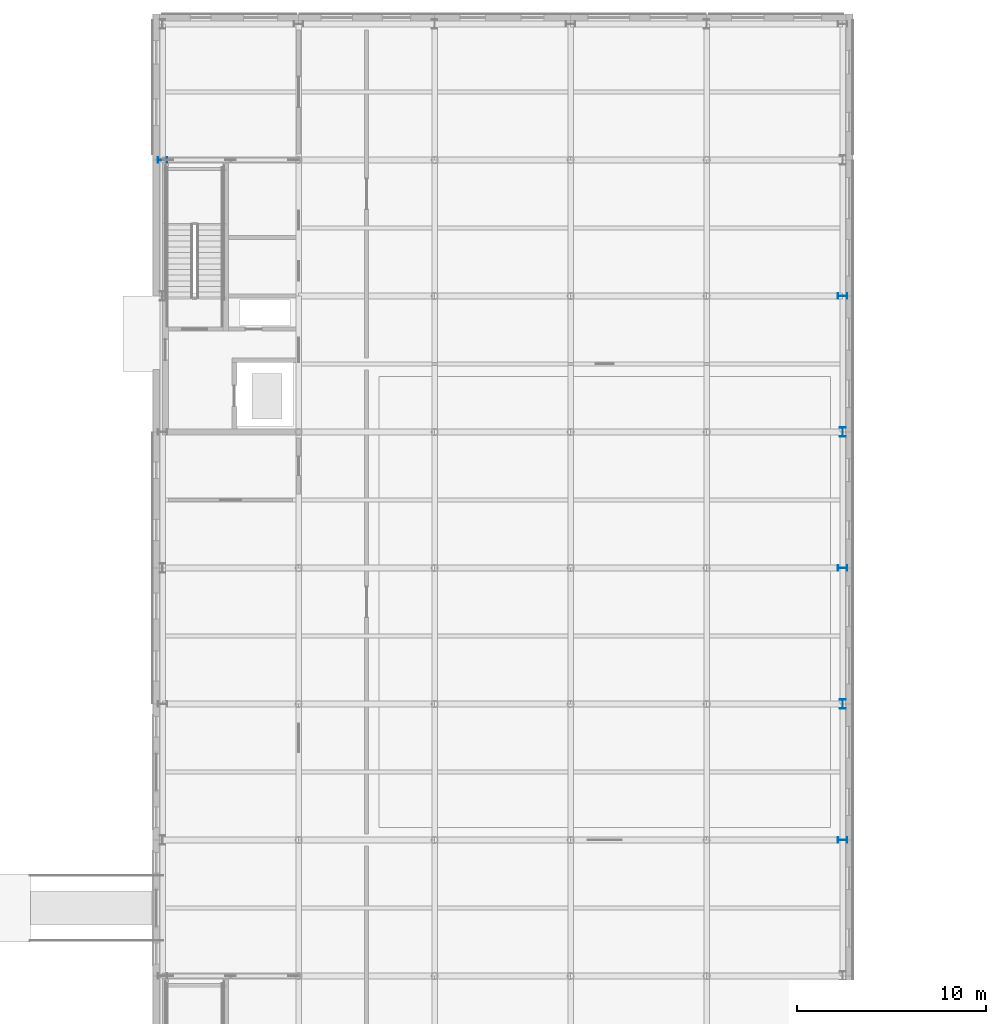
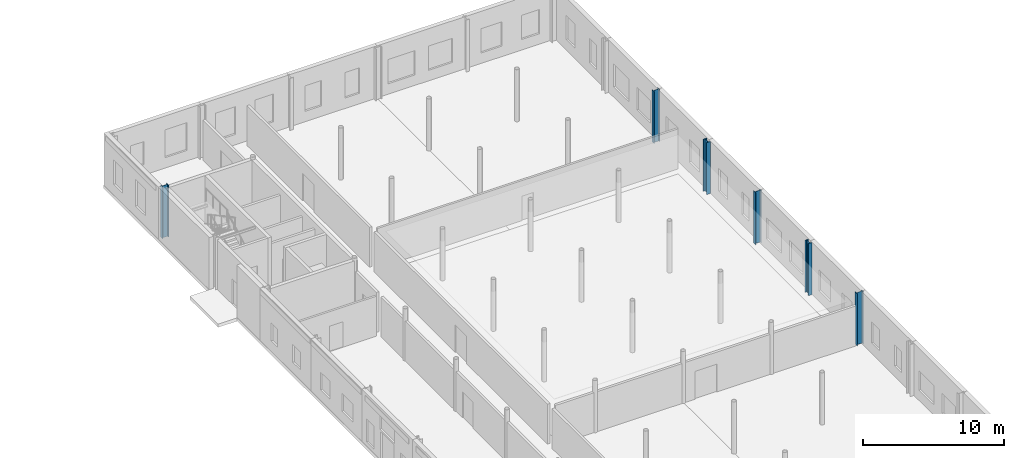
# One storey, part 19 of 92: 6 columns.
"""IFC4 building model written with IfcOpenShell, lengths in metres."""

from ifc_helpers import new_model, si_unit, direction, frame, origin, origin_2d, place, context, subcontext, project, spatial, i_section, extrude, material, material_profile, profile_set, type_object, element, save


model = new_model("IFC4")

# Units and contexts
model_context = context("Model", 3, precision=1e-05, world=origin(), true_north=direction((0.0, 1.0)))
body_context = subcontext(model_context, "Body", "Model", "MODEL_VIEW")
ifc_project = project(units=[si_unit("LENGTHUNIT", "METRE"), si_unit("AREAUNIT", "SQUARE_METRE"), si_unit("VOLUMEUNIT", "CUBIC_METRE"), si_unit("PLANEANGLEUNIT", "RADIAN"), si_unit("MASSUNIT", "GRAM", prefix="KILO")], contexts=[model_context])

# Site, building, storey
site_placement = place(None, origin())
site = spatial("IfcSite", under=ifc_project, at=site_placement, CompositionType="ELEMENT")
building_placement = place(site_placement, origin())
building = spatial("IfcBuilding", under=site, at=building_placement, Name="Zlatovets Crest Museum", CompositionType="ELEMENT")
storey_placement = place(building_placement, origin())
storey = spatial("IfcBuildingStorey", under=building, at=storey_placement, Name="L00", CompositionType="ELEMENT", Elevation=0.0)

# Columns
ifc_material = material(Name="Structural steel S355J2", Category="steel")
ifc_material_profile = material_profile(ifc_material, i_section(OverallWidth=0.300048828125, OverallDepth=0.5, WebThickness=0.014404296875, FlangeThickness=0.028076171875, FilletRadius=0.027099609375, at=origin_2d()), Name="HEB 500")
ifc_profile_set = profile_set([ifc_material_profile], Name="Structural steel S355J2")
column_type = type_object("IfcColumnType", Name="Col_C-05", PredefinedType="COLUMN", material=ifc_profile_set)
for number, where, z_axis, x_axis, name in (
    (1, (129.60009765625, 93.60009765625, 0.0), (0.0, 0.0, 1.0), (0.0, 1.0, 0.0), "V5 L00 Column (129.6, 93.6)"),
    (2, (165.60009765625, 57.60009765625, 0.0), (0.0, 0.0, 1.0), (0.0, 1.0, 0.0), "V5 L00 Column (165.6, 57.6)"),
    (3, (165.60009765625, 64.800048828125, 0.0), (0.0, 0.0, 1.0), (1.0, 0.0, 0.0), "V5 L00 Column (165.6, 64.8)"),
    (4, (165.60009765625, 72.0, 0.0), (0.0, 0.0, 1.0), (0.0, 1.0, 0.0), "V5 L00 Column (165.6, 72.0)"),
    (5, (165.60009765625, 79.199951171875, 0.0), (0.0, 0.0, 1.0), (1.0, 0.0, 0.0), "V5 L00 Column (165.6, 79.2)"),
    (6, (165.60009765625, 86.39990234375, 0.0), (0.0, 0.0, 1.0), (0.0, 1.0, 0.0), "V5 L00 Column (165.6, 86.4)"),
):
    element("IfcColumn", number, at=place(storey_placement, frame(where, z_axis=z_axis, x_axis=x_axis)), inside=storey, type_object=column_type, Name=name, PredefinedType="COLUMN", context=body_context, shape_type="SweptSolid", body=[
        extrude(i_section(OverallWidth=0.300048828125, OverallDepth=0.5, WebThickness=0.014404296875, FlangeThickness=0.028076171875, FilletRadius=0.027099609375, at=origin_2d()), origin(), (0.0, 0.0, 1.0), 4.5),
    ])

save(model, "model.ifc")
